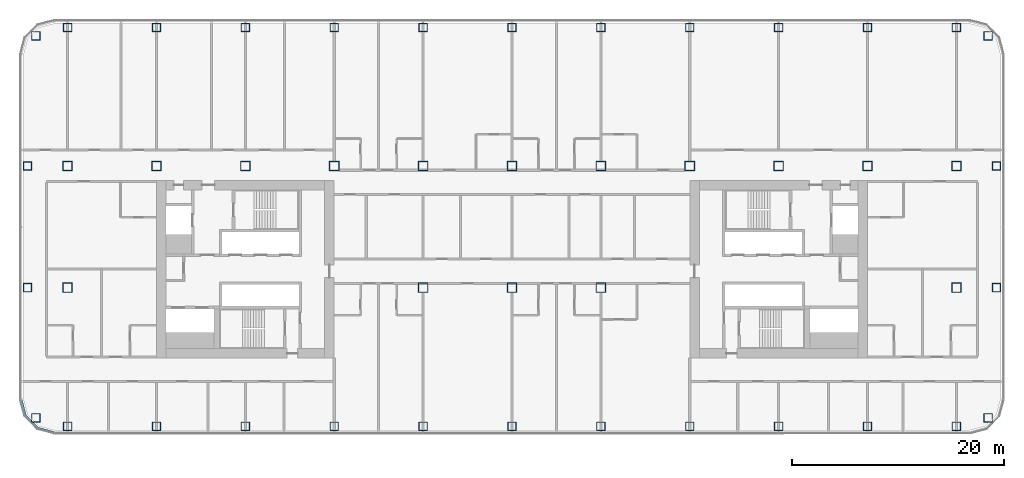
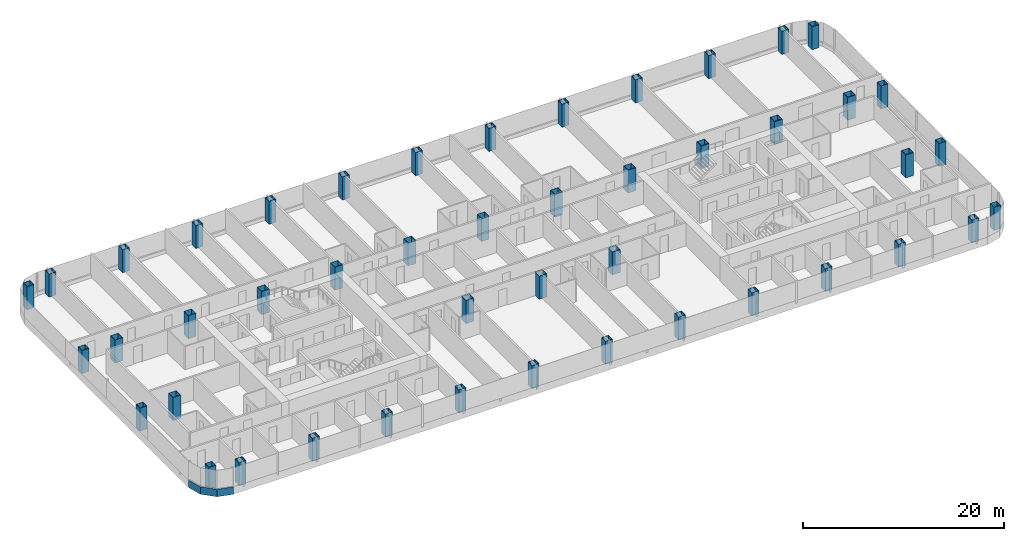
# One storey, part 1 of 29: 46 columns, 1 member, 1 element without a shape of its own.
"""IFC4 building model written with IfcOpenShell, lengths in metres."""

from ifc_helpers import new_model, si_unit, direction, frame, origin, origin_2d, place, context, subcontext, project, spatial, polyline, rectangle, hollow_rectangle, outline, extrude, material, layer, layer_set, material_profile, profile_set, type_object, element, aggregate, save


model = new_model("IFC4")

# Units and contexts
model_context = context("Model", 3, precision=1e-05, world=origin(), true_north=direction((0.0, 1.0)))
body_context = subcontext(model_context, "Body", "Model", "MODEL_VIEW")
ifc_project = project(units=[si_unit("LENGTHUNIT", "METRE"), si_unit("AREAUNIT", "SQUARE_METRE"), si_unit("VOLUMEUNIT", "CUBIC_METRE"), si_unit("PLANEANGLEUNIT", "RADIAN"), si_unit("MASSUNIT", "GRAM", prefix="KILO")], contexts=[model_context])

# Site, building, storey
site_placement = place(None, origin())
site = spatial("IfcSite", under=ifc_project, at=site_placement, CompositionType="ELEMENT")
building_placement = place(site_placement, origin())
building = spatial("IfcBuilding", under=site, at=building_placement, Name="Hakoniwa Tower and Hamabe Station Hall", CompositionType="ELEMENT")
storey_placement = place(building_placement, frame((0.0, 0.0, 85.0)))
storey = spatial("IfcBuildingStorey", under=building, at=storey_placement, Name="L23", CompositionType="ELEMENT", Elevation=85.0)

# Columns
ifc_material_1 = material(Name="Steel SN490C", Category="steel")
ifc_material_profile_1 = material_profile(ifc_material_1, hollow_rectangle(XDim=0.800048828125, YDim=0.800048828125, WallThickness=0.031982421875, at=origin_2d()), Name="BX-800x800x32")
ifc_profile_set_1 = profile_set([ifc_material_profile_1], Name="Steel SN490C")
column_type_1 = type_object("IfcColumnType", Name="COLUMN BX-800x800x32", PredefinedType="COLUMN", material=ifc_profile_set_1)
for number, where, z_axis, x_axis, name in (
    (1, (-45.003173828125, -14.052978515625, 0.0), (0.0, 0.0, 1.0), (1.0, 0.0, 0.0), "Column B2-EW-A2"),
    (2, (-45.800048828125, -1.75, 0.0), (0.0, 0.0, 1.0), (1.0, 0.0, 0.0), "Column B2-EW-C2"),
    (3, (-45.800048828125, 9.75, 0.0), (0.0, 0.0, 1.0), (1.0, 0.0, 0.0), "Column B2-EW-E2"),
    (4, (-45.003173828125, 22.052978515625, 0.0), (0.0, 0.0, 1.0), (1.0, 0.0, 0.0), "Column B2-EW-G2"),
    (5, (-42.0, -14.85009765625, 0.0), (0.0, 0.0, 1.0), (1.0, 0.0, 0.0), "Column B2-2-A2"),
    (6, (-42.0, 22.85009765625, 0.0), (0.0, 0.0, 1.0), (1.0, 0.0, 0.0), "Column B2-2-G2"),
    (7, (-33.60009765625, -14.85009765625, 0.0), (0.0, 0.0, 1.0), (1.0, 0.0, 0.0), "Column B2-3-A2"),
    (8, (-33.60009765625, 22.85009765625, 0.0), (0.0, 0.0, 1.0), (1.0, 0.0, 0.0), "Column B2-3-G2"),
    (9, (-25.199951171875, -14.85009765625, 0.0), (0.0, 0.0, 1.0), (1.0, 0.0, 0.0), "Column B2-4-A2"),
    (10, (-25.199951171875, 22.85009765625, 0.0), (0.0, 0.0, 1.0), (1.0, 0.0, 0.0), "Column B2-4-G2"),
    (11, (-16.800048828125, -14.85009765625, 0.0), (0.0, 0.0, 1.0), (1.0, 0.0, 0.0), "Column B2-5-A2"),
    (12, (-16.800048828125, 22.85009765625, 0.0), (0.0, 0.0, 1.0), (1.0, 0.0, 0.0), "Column B2-5-G2"),
    (13, (-8.39990234375, -14.85009765625, 0.0), (0.0, 0.0, 1.0), (1.0, 0.0, 0.0), "Column B2-6-A2"),
    (14, (-8.39990234375, 22.85009765625, 0.0), (0.0, 0.0, 1.0), (1.0, 0.0, 0.0), "Column B2-6-G2"),
    (15, (0.0, -14.85009765625, 0.0), (0.0, 0.0, 1.0), (1.0, 0.0, 0.0), "Column B2-7-A2"),
    (16, (0.0, 22.85009765625, 0.0), (0.0, 0.0, 1.0), (1.0, 0.0, 0.0), "Column B2-7-G2"),
    (17, (8.39990234375, -14.85009765625, 0.0), (0.0, 0.0, 1.0), (1.0, 0.0, 0.0), "Column B2-8-A2"),
    (18, (8.39990234375, 22.85009765625, 0.0), (0.0, 0.0, 1.0), (1.0, 0.0, 0.0), "Column B2-8-G2"),
    (19, (16.800048828125, -14.85009765625, 0.0), (0.0, 0.0, 1.0), (1.0, 0.0, 0.0), "Column B2-9-A2"),
    (20, (16.800048828125, 22.85009765625, 0.0), (0.0, 0.0, 1.0), (1.0, 0.0, 0.0), "Column B2-9-G2"),
    (21, (25.199951171875, -14.85009765625, 0.0), (0.0, 0.0, 1.0), (1.0, 0.0, 0.0), "Column B2-10-A2"),
    (22, (25.199951171875, 22.85009765625, 0.0), (0.0, 0.0, 1.0), (1.0, 0.0, 0.0), "Column B2-10-G2"),
    (23, (33.60009765625, -14.85009765625, 0.0), (0.0, 0.0, 1.0), (1.0, 0.0, 0.0), "Column B2-11-A2"),
    (24, (33.60009765625, 22.85009765625, 0.0), (0.0, 0.0, 1.0), (1.0, 0.0, 0.0), "Column B2-11-G2"),
    (25, (42.0, -14.85009765625, 0.0), (0.0, 0.0, 1.0), (1.0, 0.0, 0.0), "Column B2-12-A2"),
    (26, (42.0, 22.85009765625, 0.0), (0.0, 0.0, 1.0), (1.0, 0.0, 0.0), "Column B2-12-G2"),
    (27, (45.003173828125, -14.052978515625, 0.0), (0.0, 0.0, 1.0), (1.0, 0.0, 0.0), "Column B2-EE-A2"),
    (28, (45.800048828125, -1.75, 0.0), (0.0, 0.0, 1.0), (1.0, 0.0, 0.0), "Column B2-EE-C2"),
    (29, (45.800048828125, 9.75, 0.0), (0.0, 0.0, 1.0), (1.0, 0.0, 0.0), "Column B2-EE-E2"),
    (30, (45.003173828125, 22.052978515625, 0.0), (0.0, 0.0, 1.0), (1.0, 0.0, 0.0), "Column B2-EE-G2"),
):
    element("IfcColumn", number, at=place(storey_placement, frame(where, z_axis=z_axis, x_axis=x_axis)), inside=storey, type_object=column_type_1, Name=name, PredefinedType="COLUMN", context=body_context, shape_type="SweptSolid", body=[
        extrude(hollow_rectangle(XDim=0.800048828125, YDim=0.800048828125, WallThickness=0.031982421875, at=origin_2d()), origin(), (0.0, 0.0, 1.0), 2.800048828125),
    ])
ifc_material_2 = material(Name="Steel SN490C", Category="steel")
ifc_material_profile_2 = material_profile(ifc_material_2, hollow_rectangle(XDim=0.89990234375, YDim=0.89990234375, WallThickness=0.035888671875, at=origin_2d()), Name="BX-900x900x36")
ifc_profile_set_2 = profile_set([ifc_material_profile_2], Name="Steel SN490C")
column_type_2 = type_object("IfcColumnType", Name="COLUMN BX-900x900x36", PredefinedType="COLUMN", material=ifc_profile_set_2)
for number, where, z_axis, x_axis, name in (
    (31, (-42.0, -1.75, 0.0), (0.0, 0.0, 1.0), (1.0, 0.0, 0.0), "Column B2-2-C2"),
    (32, (-42.0, 9.75, 0.0), (0.0, 0.0, 1.0), (1.0, 0.0, 0.0), "Column B2-2-E2"),
    (33, (-33.60009765625, 9.75, 0.0), (0.0, 0.0, 1.0), (1.0, 0.0, 0.0), "Column B2-3-E2"),
    (34, (-25.199951171875, 9.75, 0.0), (0.0, 0.0, 1.0), (1.0, 0.0, 0.0), "Column B2-4-E2"),
    (35, (-16.800048828125, 9.75, 0.0), (0.0, 0.0, 1.0), (1.0, 0.0, 0.0), "Column B2-5-E2"),
    (36, (-8.39990234375, -1.75, 0.0), (0.0, 0.0, 1.0), (1.0, 0.0, 0.0), "Column B2-6-C2"),
    (37, (-8.39990234375, 9.75, 0.0), (0.0, 0.0, 1.0), (1.0, 0.0, 0.0), "Column B2-6-E2"),
    (38, (0.0, -1.75, 0.0), (0.0, 0.0, 1.0), (1.0, 0.0, 0.0), "Column B2-7-C2"),
    (39, (0.0, 9.75, 0.0), (0.0, 0.0, 1.0), (1.0, 0.0, 0.0), "Column B2-7-E2"),
    (40, (8.39990234375, -1.75, 0.0), (0.0, 0.0, 1.0), (1.0, 0.0, 0.0), "Column B2-8-C2"),
    (41, (8.39990234375, 9.75, 0.0), (0.0, 0.0, 1.0), (1.0, 0.0, 0.0), "Column B2-8-E2"),
    (42, (16.800048828125, 9.75, 0.0), (0.0, 0.0, 1.0), (1.0, 0.0, 0.0), "Column B2-9-E2"),
    (43, (25.199951171875, 9.75, 0.0), (0.0, 0.0, 1.0), (1.0, 0.0, 0.0), "Column B2-10-E2"),
    (44, (33.60009765625, 9.75, 0.0), (0.0, 0.0, 1.0), (1.0, 0.0, 0.0), "Column B2-11-E2"),
    (45, (42.0, -1.75, 0.0), (0.0, 0.0, 1.0), (1.0, 0.0, 0.0), "Column B2-12-C2"),
    (46, (42.0, 9.75, 0.0), (0.0, 0.0, 1.0), (1.0, 0.0, 0.0), "Column B2-12-E2"),
):
    element("IfcColumn", number, at=place(storey_placement, frame(where, z_axis=z_axis, x_axis=x_axis)), inside=storey, type_object=column_type_2, Name=name, PredefinedType="COLUMN", context=body_context, shape_type="SweptSolid", body=[
        extrude(hollow_rectangle(XDim=0.89990234375, YDim=0.89990234375, WallThickness=0.035888671875, at=origin_2d()), origin(), (0.0, 0.0, 1.0), 2.800048828125),
    ])

# Curtain wall, member
ifc_material_3 = material(Name="Dark low-e laminated glass", Category="glass")
ifc_layer = layer(ifc_material_3, 0.199951171875)
ifc_layer_set = layer_set([ifc_layer], Name="CW-1 UNITISED GUEST")
curtain_wall_type = type_object("IfcCurtainWallType", Name="CW-1 UNITISED GUEST", PredefinedType="NOTDEFINED", material=ifc_layer_set)
curtain_wall_placement = place(storey_placement, origin())
curtain_wall = element("IfcCurtainWall", 47, at=curtain_wall_placement, inside=storey, type_object=curtain_wall_type, Name="CW-1 curtain wall", PredefinedType="NOTDEFINED")
ifc_material_4 = material(Name="Aluminium 6063-T5 black anodised", Category="aluminium")
ifc_material_profile_3 = material_profile(ifc_material_4, rectangle(XDim=0.199951171875, YDim=0.89990234375, at=origin_2d()), Name="CW SLAB-EDGE BAND 900X200")
ifc_profile_set_3 = profile_set([ifc_material_profile_3], Name="Aluminium 6063-T5 black anodised")
member_type = type_object("IfcMemberType", Name="CW SLAB-EDGE BAND 900X200", PredefinedType="USERDEFINED", material=ifc_profile_set_3)
member_placement = place(storey_placement, frame((0.0, 0.0, -0.550048828125)))
member = element("IfcMember", 48, at=member_placement, type_object=member_type, Name="CW-1 transom", ObjectType="TRANSOM", PredefinedType="USERDEFINED", context=body_context, shape_type="SweptSolid", body=[
    extrude(outline(polyline([(-46.5, -12.28955078125), (-46.067138671875, -13.9052734375), (-44.855224609375, -15.116943359375), (-43.239501953125, -15.550048828125), (-43.187744140625, -15.35693359375), (-44.751708984375, -14.937744140625), (-45.8876953125, -13.8017578125), (-46.306884765625, -12.23779296875), (-46.5, -12.28955078125)])), origin(), (0.0, 0.0, 1.0), 0.900146484375),
])
aggregate(curtain_wall, [member])

save(model, "model.ifc")
